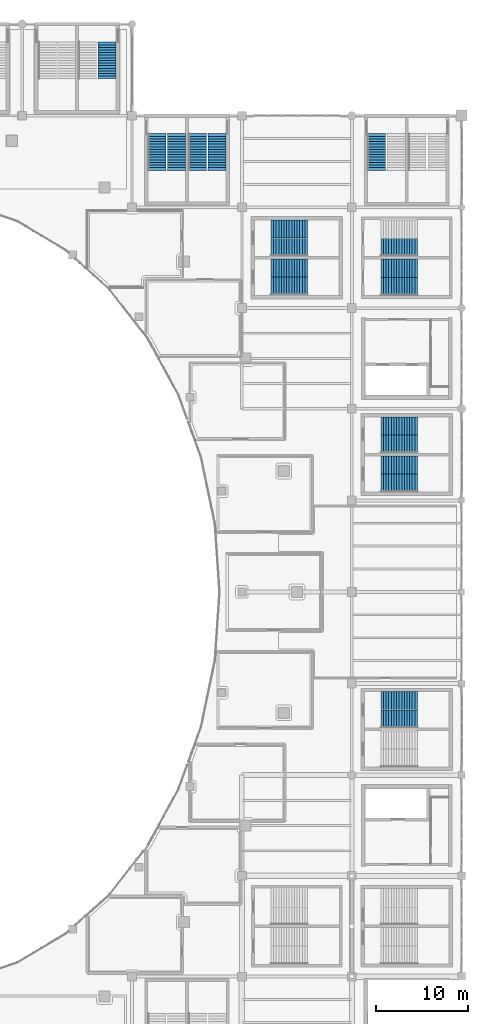
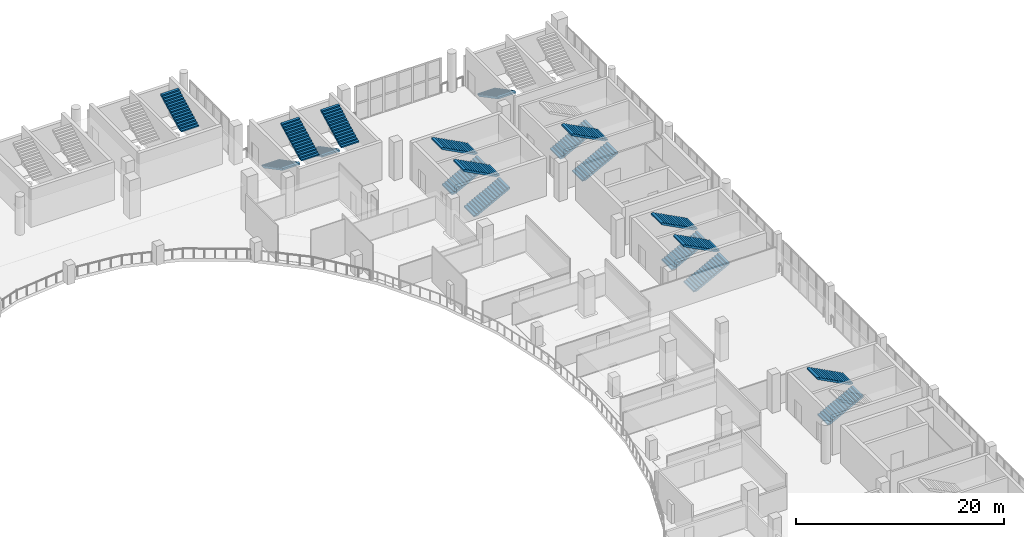
# One storey, part 72 of 90: 19 stair flights, 11 elements without a shape of their own.
"""IFC4 building model written with IfcOpenShell, lengths in metres."""

import ifcopenshell
import ifcopenshell.guid

model = None  # the IFC model being written
_history = None  # IfcOwnerHistory: only IFC2X3 demands one
_inside = {}  # id of a spatial element -> (the spatial element, [elements in it])
_under = {}  # id of a project, library or spatial element -> (it, [spatial elements below it])
_declared = {}  # id of a project -> (the project, [libraries it declares])
_typed = {}  # id of a type object -> (the type object, [elements of that type])
_made_of = {}  # id of a material, layer set ... -> (it, [elements and type objects made of it])


def new_model(schema):
    """Start an empty IFC model of exactly this schema.

    Asked for "IFC4X3", IfcOpenShell would pick the latest addendum, in which some entities
    have other attributes; the version numbers below select the first issue.
    IFC2X3 requires an IfcOwnerHistory on every rooted entity: one is made here for all.
    """
    global model, _history
    if schema == "IFC4X3":
        model = ifcopenshell.file(schema_version=(4, 3, 0, 0))
    else:
        model = ifcopenshell.file(schema=schema)
    _inside.clear()
    _under.clear()
    _declared.clear()
    _typed.clear()
    _made_of.clear()
    _history = None
    if model.schema == "IFC2X3":
        org = make("IfcOrganization", Name="unknown")
        user = make(
            "IfcPersonAndOrganization",
            ThePerson=make("IfcPerson", FamilyName="unknown"),
            TheOrganization=org,
        )
        app = make(
            "IfcApplication",
            ApplicationDeveloper=org,
            Version="unknown",
            ApplicationFullName="unknown",
            ApplicationIdentifier="unknown",
        )
        _history = make(
            "IfcOwnerHistory",
            OwningUser=user,
            OwningApplication=app,
            ChangeAction="ADDED",
            CreationDate=0,
        )
    return model


def make(cls, **values):
    """One entity of the class cls with the attributes given. An attribute that is None is left unset."""
    return model.create_entity(
        cls, **{name: value for name, value in values.items() if value is not None}
    )


def rooted(cls, **values):
    """An entity with a GlobalId (a new one), such as an element, a storey or a relation."""
    return make(cls, GlobalId=ifcopenshell.guid.new(), OwnerHistory=_history, **values)


def si_unit(unit_type, name, prefix=None):
    """IfcSIUnit, for example si_unit("LENGTHUNIT", "METRE", prefix="MILLI")."""
    return make("IfcSIUnit", UnitType=unit_type, Prefix=prefix, Name=name)


def assignment(units):
    """IfcUnitAssignment: the units of a project."""
    return None if units is None else make("IfcUnitAssignment", Units=units)


def point(xyz):
    """IfcCartesianPoint."""
    return None if xyz is None else make("IfcCartesianPoint", Coordinates=xyz)


def direction(xyz):
    """IfcDirection."""
    return None if xyz is None else make("IfcDirection", DirectionRatios=xyz)


def frame(location, z_axis=None, x_axis=None):
    """IfcAxis2Placement3D, a coordinate frame: its origin and axes. An axis left out is left unset."""
    return make(
        "IfcAxis2Placement3D",
        Location=point(location),
        Axis=direction(z_axis),
        RefDirection=direction(x_axis),
    )


def origin():
    """The frame at (0, 0, 0) with its axes left unset."""
    return frame((0.0, 0.0, 0.0))


def place(relative_to, where):
    """IfcLocalPlacement: puts the frame where relative to a parent placement (None: the world)."""
    return make(
        "IfcLocalPlacement", PlacementRelTo=relative_to, RelativePlacement=where
    )


def context(
    kind, dimensions, precision=None, world=None, true_north=None, identifier=None
):
    """IfcGeometricRepresentationContext, for example the 3D "Model" context."""
    return make(
        "IfcGeometricRepresentationContext",
        ContextIdentifier=identifier,
        ContextType=kind,
        CoordinateSpaceDimension=dimensions,
        Precision=precision,
        WorldCoordinateSystem=world,
        TrueNorth=true_north,
    )


def subcontext(parent, identifier, kind, view, scale=None):
    """IfcGeometricRepresentationSubContext, for example "Body" below "Model"."""
    return make(
        "IfcGeometricRepresentationSubContext",
        ContextIdentifier=identifier,
        ContextType=kind,
        ParentContext=parent,
        TargetScale=scale,
        TargetView=view,
    )


def project(units=None, contexts=None):
    """IfcProject with its units and contexts."""
    return rooted(
        "IfcProject",
        Name="project",
        RepresentationContexts=contexts,
        UnitsInContext=assignment(units),
    )


def spatial(cls, under=None, at=None, **own):
    """A site, building, storey or space (cls), placed at a placement, below another one or the project."""
    s = rooted(cls, ObjectPlacement=at, **own)
    if under is not None:
        _under.setdefault(under.id(), (under, []))[1].append(s)
    return s


def polyline(points):
    """IfcPolyline through the points."""
    return make("IfcPolyline", Points=[point(p) for p in points])


def outline(outer, holes=None, kind="AREA"):
    """IfcArbitraryClosedProfileDef: a profile drawn as a closed curve; with holes, ...WithVoids."""
    if holes is None:
        return make("IfcArbitraryClosedProfileDef", ProfileType=kind, OuterCurve=outer)
    return make(
        "IfcArbitraryProfileDefWithVoids",
        ProfileType=kind,
        OuterCurve=outer,
        InnerCurves=holes,
    )


def extrude(swept, where, along, depth):
    """IfcExtrudedAreaSolid: the profile swept, set in the frame where, extruded along a direction by depth."""
    return make(
        "IfcExtrudedAreaSolid",
        SweptArea=swept,
        Position=where,
        ExtrudedDirection=direction(along),
        Depth=depth,
    )


def shape(context_of_items, identifier, shape_type, items):
    """IfcShapeRepresentation: the items that make up one representation, for example the "Body"."""
    return make(
        "IfcShapeRepresentation",
        ContextOfItems=context_of_items,
        RepresentationIdentifier=identifier,
        RepresentationType=shape_type,
        Items=items,
    )


def material(Name=None, Category=None):
    """IfcMaterial."""
    return make("IfcMaterial", Name=Name, Category=Category)


def layer(
    of_material, thickness, ventilated=None, Name=None, Category=None, Priority=None
):
    """IfcMaterialLayer: one layer of a wall or slab, of a material (None: an air gap)."""
    return make(
        "IfcMaterialLayer",
        Material=of_material,
        LayerThickness=thickness,
        IsVentilated=ventilated,
        Name=Name,
        Category=Category,
        Priority=Priority,
    )


def layer_set(layers, Name=None):
    """IfcMaterialLayerSet."""
    return make("IfcMaterialLayerSet", MaterialLayers=layers, LayerSetName=Name)


def made_of(thing, what):
    """Note that an element or type object is made of a material, layer set ...; save() writes the relation."""
    if what is not None:
        _made_of.setdefault(what.id(), (what, []))[1].append(thing)
    return thing


def type_object(cls, material=None, **own):
    """A type object (cls), such as IfcWallType, which elements share."""
    return made_of(rooted(cls, **own), material)


def element(
    cls,
    number,
    at=None,
    inside=None,
    cuts=None,
    type_object=None,
    material=None,
    context=None,
    identifier="Body",
    shape_type=None,
    held_by="IfcProductDefinitionShape",
    body=None,
    shapes=None,
    **own,
):
    """One element of the class cls, such as IfcWall. Its Tag is "e" and its number.

    at: its placement. inside: the storey or other place that contains it. cuts: it is an
    opening in that element (IfcRelVoidsElement). A single representation is given by context,
    identifier, shape_type and body (its items); several are given by shapes. held_by: the class
    of the entity that holds the representations. save() writes the other relations.
    """
    e = rooted(cls, Tag="e%d" % number, ObjectPlacement=at, **own)
    if body is not None:
        shapes = [shape(context, identifier, shape_type, body)]
    if shapes is not None:
        e.Representation = make(held_by, Representations=shapes)
    if inside is not None:
        _inside.setdefault(inside.id(), (inside, []))[1].append(e)
    if cuts is not None:
        rooted(
            "IfcRelVoidsElement", RelatingBuildingElement=cuts, RelatedOpeningElement=e
        )
    if type_object is not None:
        _typed.setdefault(type_object.id(), (type_object, []))[1].append(e)
    return made_of(e, material)


def aggregate(whole, parts):
    """IfcRelAggregates: a whole, such as a stair, and the parts it consists of."""
    return rooted("IfcRelAggregates", RelatingObject=whole, RelatedObjects=parts)


def save(model, path):
    """Write the relations noted so far, then the file.

    IfcRelAggregates (storeys below a building ...), IfcRelContainedInSpatialStructure (elements
    in a storey), IfcRelDefinesByType, IfcRelAssociatesMaterial and IfcRelDeclares: one each for
    every whole, place, type object, material and project.
    """
    for whole, parts in _under.values():
        aggregate(whole, parts)
    for where, things in _inside.values():
        rooted(
            "IfcRelContainedInSpatialStructure",
            RelatedElements=things,
            RelatingStructure=where,
        )
    for kind, things in _typed.values():
        rooted("IfcRelDefinesByType", RelatedObjects=things, RelatingType=kind)
    for what, things in _made_of.values():
        rooted("IfcRelAssociatesMaterial", RelatedObjects=things, RelatingMaterial=what)
    for by, libraries in _declared.values():
        rooted("IfcRelDeclares", RelatingContext=by, RelatedDefinitions=libraries)
    model.write(path)


model = new_model("IFC4")

# Units and contexts
model_context = context("Model", 3, precision=1e-05, world=origin(), true_north=direction((0.0, 1.0)))
body_context = subcontext(model_context, "Body", "Model", "MODEL_VIEW")
ifc_project = project(units=[si_unit("LENGTHUNIT", "METRE"), si_unit("AREAUNIT", "SQUARE_METRE"), si_unit("VOLUMEUNIT", "CUBIC_METRE"), si_unit("PLANEANGLEUNIT", "RADIAN"), si_unit("MASSUNIT", "GRAM", prefix="KILO")], contexts=[model_context])

# Site, building, storey
site_placement = place(None, origin())
site = spatial("IfcSite", under=ifc_project, at=site_placement, CompositionType="ELEMENT")
building_placement = place(site_placement, origin())
building = spatial("IfcBuilding", under=site, at=building_placement, Name="Brinegate Civic Arena", CompositionType="ELEMENT")
storey_placement = place(building_placement, frame((0.0, 0.0, 14.699951171875)))
storey = spatial("IfcBuildingStorey", under=building, at=storey_placement, Name="L03", CompositionType="ELEMENT", Elevation=14.699951171875)

# Stair, stair flight
ifc_material = material(Name="Concrete C40/50", Category="concrete")
stair_type_1 = type_object("IfcStairType", Name="STAIR-EXIT-3700", PredefinedType="HALF_TURN_STAIR", material=ifc_material)
stair_1_placement = place(storey_placement, origin())
stair_1 = element("IfcStair", 1, at=stair_1_placement, inside=storey, type_object=stair_type_1, Name="Protected Exit Stair ST-03B (L03)", PredefinedType="HALF_TURN_STAIR")
ifc_layer_1 = layer(ifc_material, 0.179931640625, Name="Concrete C40/50")
ifc_layer_set_1 = layer_set([ifc_layer_1], Name="Concrete C40/50")
stair_flight_type_1 = type_object("IfcStairFlightType", Name="FLIGHT-EXIT-3700", PredefinedType="STRAIGHT", material=ifc_layer_set_1)
stair_flight_1_placement = place(storey_placement, frame((129.260009765625, 118.0400390625, 2.25), z_axis=(0.0, 0.0, 1.0), x_axis=(0.0, 1.0, 0.0)))
stair_flight_1 = element("IfcStairFlight", 2, at=stair_flight_1_placement, type_object=stair_flight_type_1, Name="ST-03B flight 2", NumberOfRisers=15, NumberOfTreads=14, PredefinedType="STRAIGHT", RiserHeight=0.15, TreadLength=0.285, context=body_context, shape_type="SweptSolid", body=[
    extrude(outline(polyline([(0.0, 0.0), (0.0, 0.14990234375), (0.284912109375, 0.14990234375), (0.284912109375, 0.300048828125), (0.570068359375, 0.300048828125), (0.570068359375, 0.449951171875), (0.85498046875, 0.449951171875), (0.85498046875, 0.60009765625), (1.139892578125, 0.60009765625), (1.139892578125, 0.75), (1.425048828125, 0.75), (1.425048828125, 0.89990234375), (1.7099609375, 0.89990234375), (1.7099609375, 1.050048828125), (1.9951171875, 1.050048828125), (1.9951171875, 1.199951171875), (2.280029296875, 1.199951171875), (2.280029296875, 1.35009765625), (2.56494140625, 1.35009765625), (2.56494140625, 1.5), (2.85009765625, 1.5), (2.85009765625, 1.64990234375), (3.135009765625, 1.64990234375), (3.135009765625, 1.800048828125), (3.419921875, 1.800048828125), (3.419921875, 1.949951171875), (3.705078125, 1.949951171875), (3.705078125, 2.10009765625), (3.989990234375, 2.10009765625), (3.989990234375, 2.25), (3.989990234375, 1.896728515625), (0.38623046875, 0.0), (0.0, 0.0)])), frame((0.0, 0.97998046875, 0.0), z_axis=(0.0, -1.0, 0.0), x_axis=(1.0, 0.0, 0.0)), (0.0, 0.0, 1.0), 1.9599609375),
])
aggregate(stair_1, [stair_flight_1])

# Stair, stair flights
stair_2_placement = place(storey_placement, origin())
stair_2 = element("IfcStair", 3, at=stair_2_placement, inside=storey, type_object=stair_type_1, Name="Protected Exit Stair ST-09B (L03)", PredefinedType="HALF_TURN_STAIR")
stair_flight_2_placement = place(storey_placement, frame((159.169921875, 78.139892578125, 0.0), z_axis=(0.0, 0.0, 1.0), x_axis=(1.0, 0.0, 0.0)))
stair_flight_2 = element("IfcStairFlight", 4, at=stair_flight_2_placement, type_object=stair_flight_type_1, Name="ST-09B flight 1", NumberOfRisers=15, NumberOfTreads=14, PredefinedType="STRAIGHT", RiserHeight=0.15, TreadLength=0.285, context=body_context, shape_type="SweptSolid", body=[
    extrude(outline(polyline([(0.0, 0.0), (0.0, 0.14990234375), (0.284912109375, 0.14990234375), (0.284912109375, 0.300048828125), (0.570068359375, 0.300048828125), (0.570068359375, 0.449951171875), (0.85498046875, 0.449951171875), (0.85498046875, 0.60009765625), (1.139892578125, 0.60009765625), (1.139892578125, 0.75), (1.425048828125, 0.75), (1.425048828125, 0.89990234375), (1.7099609375, 0.89990234375), (1.7099609375, 1.050048828125), (1.9951171875, 1.050048828125), (1.9951171875, 1.199951171875), (2.280029296875, 1.199951171875), (2.280029296875, 1.35009765625), (2.56494140625, 1.35009765625), (2.56494140625, 1.5), (2.85009765625, 1.5), (2.85009765625, 1.64990234375), (3.135009765625, 1.64990234375), (3.135009765625, 1.800048828125), (3.419921875, 1.800048828125), (3.419921875, 1.949951171875), (3.705078125, 1.949951171875), (3.705078125, 2.10009765625), (3.989990234375, 2.10009765625), (3.989990234375, 2.25), (3.989990234375, 1.896728515625), (0.38623046875, 0.0), (0.0, 0.0)])), frame((0.0, 0.97998046875, 0.0), z_axis=(0.0, -1.0, 0.0), x_axis=(1.0, 0.0, 0.0)), (0.0, 0.0, 1.0), 1.9599609375),
])
stair_flight_3_placement = place(storey_placement, frame((163.159912109375, 80.110107421875, 2.25), z_axis=(0.0, 0.0, 1.0), x_axis=(-1.0, 0.0, 0.0)))
stair_flight_3 = element("IfcStairFlight", 5, at=stair_flight_3_placement, type_object=stair_flight_type_1, Name="ST-09B flight 2", NumberOfRisers=15, NumberOfTreads=14, PredefinedType="STRAIGHT", RiserHeight=0.15, TreadLength=0.285, context=body_context, shape_type="SweptSolid", body=[
    extrude(outline(polyline([(0.0, 0.0), (0.0, 0.14990234375), (0.284912109375, 0.14990234375), (0.284912109375, 0.300048828125), (0.570068359375, 0.300048828125), (0.570068359375, 0.449951171875), (0.85498046875, 0.449951171875), (0.85498046875, 0.60009765625), (1.139892578125, 0.60009765625), (1.139892578125, 0.75), (1.425048828125, 0.75), (1.425048828125, 0.89990234375), (1.7099609375, 0.89990234375), (1.7099609375, 1.050048828125), (1.9951171875, 1.050048828125), (1.9951171875, 1.199951171875), (2.280029296875, 1.199951171875), (2.280029296875, 1.35009765625), (2.56494140625, 1.35009765625), (2.56494140625, 1.5), (2.85009765625, 1.5), (2.85009765625, 1.64990234375), (3.135009765625, 1.64990234375), (3.135009765625, 1.800048828125), (3.419921875, 1.800048828125), (3.419921875, 1.949951171875), (3.705078125, 1.949951171875), (3.705078125, 2.10009765625), (3.989990234375, 2.10009765625), (3.989990234375, 2.25), (3.989990234375, 1.896728515625), (0.38623046875, 0.0), (0.0, 0.0)])), frame((0.0, 0.97998046875, 0.0), z_axis=(0.0, -1.0, 0.0), x_axis=(1.0, 0.0, 0.0)), (0.0, 0.0, 1.0), 1.9599609375),
])
aggregate(stair_2, [stair_flight_2, stair_flight_3])

stair_3_placement = place(storey_placement, origin())
stair_3 = element("IfcStair", 6, at=stair_3_placement, inside=storey, type_object=stair_type_1, Name="Protected Exit Stair ST-10B (L03)", PredefinedType="HALF_TURN_STAIR")
stair_flight_4_placement = place(storey_placement, frame((159.169921875, 48.139892578125, 0.0), z_axis=(0.0, 0.0, 1.0), x_axis=(1.0, 0.0, 0.0)))
stair_flight_4 = element("IfcStairFlight", 7, at=stair_flight_4_placement, type_object=stair_flight_type_1, Name="ST-10B flight 1", NumberOfRisers=15, NumberOfTreads=14, PredefinedType="STRAIGHT", RiserHeight=0.15, TreadLength=0.285, context=body_context, shape_type="SweptSolid", body=[
    extrude(outline(polyline([(0.0, 0.0), (0.0, 0.14990234375), (0.284912109375, 0.14990234375), (0.284912109375, 0.300048828125), (0.570068359375, 0.300048828125), (0.570068359375, 0.449951171875), (0.85498046875, 0.449951171875), (0.85498046875, 0.60009765625), (1.139892578125, 0.60009765625), (1.139892578125, 0.75), (1.425048828125, 0.75), (1.425048828125, 0.89990234375), (1.7099609375, 0.89990234375), (1.7099609375, 1.050048828125), (1.9951171875, 1.050048828125), (1.9951171875, 1.199951171875), (2.280029296875, 1.199951171875), (2.280029296875, 1.35009765625), (2.56494140625, 1.35009765625), (2.56494140625, 1.5), (2.85009765625, 1.5), (2.85009765625, 1.64990234375), (3.135009765625, 1.64990234375), (3.135009765625, 1.800048828125), (3.419921875, 1.800048828125), (3.419921875, 1.949951171875), (3.705078125, 1.949951171875), (3.705078125, 2.10009765625), (3.989990234375, 2.10009765625), (3.989990234375, 2.25), (3.989990234375, 1.896728515625), (0.38623046875, 0.0), (0.0, 0.0)])), frame((0.0, 0.97998046875, 0.0), z_axis=(0.0, -1.0, 0.0), x_axis=(1.0, 0.0, 0.0)), (0.0, 0.0, 1.0), 1.9599609375),
])
stair_flight_5_placement = place(storey_placement, frame((163.159912109375, 50.1298828125, 2.25), z_axis=(0.0, 0.0, 1.0), x_axis=(-1.0, 0.0, 0.0)))
stair_flight_5 = element("IfcStairFlight", 8, at=stair_flight_5_placement, type_object=stair_flight_type_1, Name="ST-10B flight 2", NumberOfRisers=15, NumberOfTreads=14, PredefinedType="STRAIGHT", RiserHeight=0.15, TreadLength=0.285, context=body_context, shape_type="SweptSolid", body=[
    extrude(outline(polyline([(0.0, 0.0), (0.0, 0.14990234375), (0.284912109375, 0.14990234375), (0.284912109375, 0.300048828125), (0.570068359375, 0.300048828125), (0.570068359375, 0.449951171875), (0.85498046875, 0.449951171875), (0.85498046875, 0.60009765625), (1.139892578125, 0.60009765625), (1.139892578125, 0.75), (1.425048828125, 0.75), (1.425048828125, 0.89990234375), (1.7099609375, 0.89990234375), (1.7099609375, 1.050048828125), (1.9951171875, 1.050048828125), (1.9951171875, 1.199951171875), (2.280029296875, 1.199951171875), (2.280029296875, 1.35009765625), (2.56494140625, 1.35009765625), (2.56494140625, 1.5), (2.85009765625, 1.5), (2.85009765625, 1.64990234375), (3.135009765625, 1.64990234375), (3.135009765625, 1.800048828125), (3.419921875, 1.800048828125), (3.419921875, 1.949951171875), (3.705078125, 1.949951171875), (3.705078125, 2.10009765625), (3.989990234375, 2.10009765625), (3.989990234375, 2.25), (3.989990234375, 1.896728515625), (0.38623046875, 0.0), (0.0, 0.0)])), frame((0.0, 0.97998046875, 0.0), z_axis=(0.0, -1.0, 0.0), x_axis=(1.0, 0.0, 0.0)), (0.0, 0.0, 1.0), 1.9599609375),
])
aggregate(stair_3, [stair_flight_4, stair_flight_5])

stair_4_placement = place(storey_placement, origin())
stair_4 = element("IfcStair", 9, at=stair_4_placement, inside=storey, type_object=stair_type_1, Name="Protected Exit Stair ST-13B (L03)", PredefinedType="HALF_TURN_STAIR")
stair_flight_6_placement = place(storey_placement, frame((139.139892578125, 112.030029296875, 0.0), z_axis=(0.0, 0.0, 1.0), x_axis=(0.0, -1.0, 0.0)))
stair_flight_6 = element("IfcStairFlight", 10, at=stair_flight_6_placement, type_object=stair_flight_type_1, Name="ST-13B flight 1", NumberOfRisers=15, NumberOfTreads=14, PredefinedType="STRAIGHT", RiserHeight=0.15, TreadLength=0.285, context=body_context, shape_type="SweptSolid", body=[
    extrude(outline(polyline([(0.0, 0.0), (0.0, 0.14990234375), (0.284912109375, 0.14990234375), (0.284912109375, 0.300048828125), (0.570068359375, 0.300048828125), (0.570068359375, 0.449951171875), (0.85498046875, 0.449951171875), (0.85498046875, 0.60009765625), (1.139892578125, 0.60009765625), (1.139892578125, 0.75), (1.425048828125, 0.75), (1.425048828125, 0.89990234375), (1.7099609375, 0.89990234375), (1.7099609375, 1.050048828125), (1.9951171875, 1.050048828125), (1.9951171875, 1.199951171875), (2.280029296875, 1.199951171875), (2.280029296875, 1.35009765625), (2.56494140625, 1.35009765625), (2.56494140625, 1.5), (2.85009765625, 1.5), (2.85009765625, 1.64990234375), (3.135009765625, 1.64990234375), (3.135009765625, 1.800048828125), (3.419921875, 1.800048828125), (3.419921875, 1.949951171875), (3.705078125, 1.949951171875), (3.705078125, 2.10009765625), (3.989990234375, 2.10009765625), (3.989990234375, 2.25), (3.989990234375, 1.896728515625), (0.38623046875, 0.0), (0.0, 0.0)])), frame((0.0, 0.97998046875, 0.0), z_axis=(0.0, -1.0, 0.0), x_axis=(1.0, 0.0, 0.0)), (0.0, 0.0, 1.0), 1.9599609375),
])
stair_flight_7_placement = place(storey_placement, frame((141.280029296875, 108.0400390625, 2.25), z_axis=(0.0, 0.0, 1.0), x_axis=(0.0, 1.0, 0.0)))
stair_flight_7 = element("IfcStairFlight", 11, at=stair_flight_7_placement, type_object=stair_flight_type_1, Name="ST-13B flight 2", NumberOfRisers=15, NumberOfTreads=14, PredefinedType="STRAIGHT", RiserHeight=0.15, TreadLength=0.285, context=body_context, shape_type="SweptSolid", body=[
    extrude(outline(polyline([(0.0, 0.0), (0.0, 0.14990234375), (0.284912109375, 0.14990234375), (0.284912109375, 0.300048828125), (0.570068359375, 0.300048828125), (0.570068359375, 0.449951171875), (0.85498046875, 0.449951171875), (0.85498046875, 0.60009765625), (1.139892578125, 0.60009765625), (1.139892578125, 0.75), (1.425048828125, 0.75), (1.425048828125, 0.89990234375), (1.7099609375, 0.89990234375), (1.7099609375, 1.050048828125), (1.9951171875, 1.050048828125), (1.9951171875, 1.199951171875), (2.280029296875, 1.199951171875), (2.280029296875, 1.35009765625), (2.56494140625, 1.35009765625), (2.56494140625, 1.5), (2.85009765625, 1.5), (2.85009765625, 1.64990234375), (3.135009765625, 1.64990234375), (3.135009765625, 1.800048828125), (3.419921875, 1.800048828125), (3.419921875, 1.949951171875), (3.705078125, 1.949951171875), (3.705078125, 2.10009765625), (3.989990234375, 2.10009765625), (3.989990234375, 2.25), (3.989990234375, 1.896728515625), (0.38623046875, 0.0), (0.0, 0.0)])), frame((0.0, 0.97998046875, 0.0), z_axis=(0.0, -1.0, 0.0), x_axis=(1.0, 0.0, 0.0)), (0.0, 0.0, 1.0), 1.9599609375),
])
aggregate(stair_4, [stair_flight_6, stair_flight_7])

stair_5_placement = place(storey_placement, origin())
stair_5 = element("IfcStair", 12, at=stair_5_placement, inside=storey, type_object=stair_type_1, Name="Protected Exit Stair ST-18B (L03)", PredefinedType="HALF_TURN_STAIR")
stair_flight_8_placement = place(storey_placement, frame((147.169921875, 99.639892578125, 0.0), z_axis=(0.0, 0.0, 1.0), x_axis=(1.0, 0.0, 0.0)))
stair_flight_8 = element("IfcStairFlight", 13, at=stair_flight_8_placement, type_object=stair_flight_type_1, Name="ST-18B flight 1", NumberOfRisers=15, NumberOfTreads=14, PredefinedType="STRAIGHT", RiserHeight=0.15, TreadLength=0.285, context=body_context, shape_type="SweptSolid", body=[
    extrude(outline(polyline([(0.0, 0.0), (0.0, 0.14990234375), (0.284912109375, 0.14990234375), (0.284912109375, 0.300048828125), (0.570068359375, 0.300048828125), (0.570068359375, 0.449951171875), (0.85498046875, 0.449951171875), (0.85498046875, 0.60009765625), (1.139892578125, 0.60009765625), (1.139892578125, 0.75), (1.425048828125, 0.75), (1.425048828125, 0.89990234375), (1.7099609375, 0.89990234375), (1.7099609375, 1.050048828125), (1.9951171875, 1.050048828125), (1.9951171875, 1.199951171875), (2.280029296875, 1.199951171875), (2.280029296875, 1.35009765625), (2.56494140625, 1.35009765625), (2.56494140625, 1.5), (2.85009765625, 1.5), (2.85009765625, 1.64990234375), (3.135009765625, 1.64990234375), (3.135009765625, 1.800048828125), (3.419921875, 1.800048828125), (3.419921875, 1.949951171875), (3.705078125, 1.949951171875), (3.705078125, 2.10009765625), (3.989990234375, 2.10009765625), (3.989990234375, 2.25), (3.989990234375, 1.896728515625), (0.38623046875, 0.0), (0.0, 0.0)])), frame((0.0, 0.97998046875, 0.0), z_axis=(0.0, -1.0, 0.0), x_axis=(1.0, 0.0, 0.0)), (0.0, 0.0, 1.0), 1.9599609375),
])
stair_flight_9_placement = place(storey_placement, frame((151.159912109375, 101.610107421875, 2.25), z_axis=(0.0, 0.0, 1.0), x_axis=(-1.0, 0.0, 0.0)))
stair_flight_9 = element("IfcStairFlight", 14, at=stair_flight_9_placement, type_object=stair_flight_type_1, Name="ST-18B flight 2", NumberOfRisers=15, NumberOfTreads=14, PredefinedType="STRAIGHT", RiserHeight=0.15, TreadLength=0.285, context=body_context, shape_type="SweptSolid", body=[
    extrude(outline(polyline([(0.0, 0.0), (0.0, 0.14990234375), (0.284912109375, 0.14990234375), (0.284912109375, 0.300048828125), (0.570068359375, 0.300048828125), (0.570068359375, 0.449951171875), (0.85498046875, 0.449951171875), (0.85498046875, 0.60009765625), (1.139892578125, 0.60009765625), (1.139892578125, 0.75), (1.425048828125, 0.75), (1.425048828125, 0.89990234375), (1.7099609375, 0.89990234375), (1.7099609375, 1.050048828125), (1.9951171875, 1.050048828125), (1.9951171875, 1.199951171875), (2.280029296875, 1.199951171875), (2.280029296875, 1.35009765625), (2.56494140625, 1.35009765625), (2.56494140625, 1.5), (2.85009765625, 1.5), (2.85009765625, 1.64990234375), (3.135009765625, 1.64990234375), (3.135009765625, 1.800048828125), (3.419921875, 1.800048828125), (3.419921875, 1.949951171875), (3.705078125, 1.949951171875), (3.705078125, 2.10009765625), (3.989990234375, 2.10009765625), (3.989990234375, 2.25), (3.989990234375, 1.896728515625), (0.38623046875, 0.0), (0.0, 0.0)])), frame((0.0, 0.97998046875, 0.0), z_axis=(0.0, -1.0, 0.0), x_axis=(1.0, 0.0, 0.0)), (0.0, 0.0, 1.0), 1.9599609375),
])
aggregate(stair_5, [stair_flight_8, stair_flight_9])

# Stair, stair flight
stair_6_placement = place(storey_placement, origin())
stair_6 = element("IfcStair", 15, at=stair_6_placement, inside=storey, type_object=stair_type_1, Name="Protected Exit Stair ST-20B (L03)", PredefinedType="HALF_TURN_STAIR")
stair_flight_10_placement = place(storey_placement, frame((159.169921875, 99.639892578125, 0.0), z_axis=(0.0, 0.0, 1.0), x_axis=(1.0, 0.0, 0.0)))
stair_flight_10 = element("IfcStairFlight", 16, at=stair_flight_10_placement, type_object=stair_flight_type_1, Name="ST-20B flight 1", NumberOfRisers=15, NumberOfTreads=14, PredefinedType="STRAIGHT", RiserHeight=0.15, TreadLength=0.285, context=body_context, shape_type="SweptSolid", body=[
    extrude(outline(polyline([(0.0, 0.0), (0.0, 0.14990234375), (0.284912109375, 0.14990234375), (0.284912109375, 0.300048828125), (0.570068359375, 0.300048828125), (0.570068359375, 0.449951171875), (0.85498046875, 0.449951171875), (0.85498046875, 0.60009765625), (1.139892578125, 0.60009765625), (1.139892578125, 0.75), (1.425048828125, 0.75), (1.425048828125, 0.89990234375), (1.7099609375, 0.89990234375), (1.7099609375, 1.050048828125), (1.9951171875, 1.050048828125), (1.9951171875, 1.199951171875), (2.280029296875, 1.199951171875), (2.280029296875, 1.35009765625), (2.56494140625, 1.35009765625), (2.56494140625, 1.5), (2.85009765625, 1.5), (2.85009765625, 1.64990234375), (3.135009765625, 1.64990234375), (3.135009765625, 1.800048828125), (3.419921875, 1.800048828125), (3.419921875, 1.949951171875), (3.705078125, 1.949951171875), (3.705078125, 2.10009765625), (3.989990234375, 2.10009765625), (3.989990234375, 2.25), (3.989990234375, 1.896728515625), (0.38623046875, 0.0), (0.0, 0.0)])), frame((0.0, 0.97998046875, 0.0), z_axis=(0.0, -1.0, 0.0), x_axis=(1.0, 0.0, 0.0)), (0.0, 0.0, 1.0), 1.9599609375),
])
aggregate(stair_6, [stair_flight_10])

stair_type_2 = type_object("IfcStairType", Name="STAIR-EXIT-3850", PredefinedType="HALF_TURN_STAIR", material=ifc_material)
stair_7_placement = place(storey_placement, origin())
stair_7 = element("IfcStair", 17, at=stair_7_placement, inside=storey, type_object=stair_type_2, Name="Protected Exit Stair ST-05A (L03)", PredefinedType="HALF_TURN_STAIR")
ifc_layer_2 = layer(ifc_material, 0.179931640625, Name="Concrete C40/50")
ifc_layer_set_2 = layer_set([ifc_layer_2], Name="Concrete C40/50")
stair_flight_type_2 = type_object("IfcStairFlightType", Name="FLIGHT-EXIT-3850", PredefinedType="STRAIGHT", material=ifc_layer_set_2)
stair_flight_11_placement = place(storey_placement, frame((158.699951171875, 112.030029296875, 0.0), z_axis=(0.0, 0.0, 1.0), x_axis=(0.0, -1.0, 0.0)))
stair_flight_11 = element("IfcStairFlight", 18, at=stair_flight_11_placement, type_object=stair_flight_type_2, Name="ST-05A flight 1", NumberOfRisers=15, NumberOfTreads=14, PredefinedType="STRAIGHT", RiserHeight=0.15, TreadLength=0.285, context=body_context, shape_type="SweptSolid", body=[
    extrude(outline(polyline([(0.0, 0.0), (0.0, 0.14990234375), (0.284912109375, 0.14990234375), (0.284912109375, 0.300048828125), (0.570068359375, 0.300048828125), (0.570068359375, 0.449951171875), (0.85498046875, 0.449951171875), (0.85498046875, 0.60009765625), (1.139892578125, 0.60009765625), (1.139892578125, 0.75), (1.425048828125, 0.75), (1.425048828125, 0.89990234375), (1.7099609375, 0.89990234375), (1.7099609375, 1.050048828125), (1.9951171875, 1.050048828125), (1.9951171875, 1.199951171875), (2.280029296875, 1.199951171875), (2.280029296875, 1.35009765625), (2.56494140625, 1.35009765625), (2.56494140625, 1.5), (2.85009765625, 1.5), (2.85009765625, 1.64990234375), (3.135009765625, 1.64990234375), (3.135009765625, 1.800048828125), (3.419921875, 1.800048828125), (3.419921875, 1.949951171875), (3.705078125, 1.949951171875), (3.705078125, 2.10009765625), (3.989990234375, 2.10009765625), (3.989990234375, 2.25), (3.989990234375, 1.896728515625), (0.38623046875, 0.0), (0.0, 0.0)])), frame((0.0, 0.989990234375, 0.0), z_axis=(0.0, -1.0, 0.0), x_axis=(1.0, 0.0, 0.0)), (0.0, 0.0, 1.0), 1.97998046875),
])
aggregate(stair_7, [stair_flight_11])

# Stair, stair flights
stair_8_placement = place(storey_placement, origin())
stair_8 = element("IfcStair", 19, at=stair_8_placement, inside=storey, type_object=stair_type_2, Name="Protected Exit Stair ST-09A (L03)", PredefinedType="HALF_TURN_STAIR")
stair_flight_12_placement = place(storey_placement, frame((159.169921875, 73.89306640625, 0.0), z_axis=(0.0, 0.0, 1.0), x_axis=(1.0, 0.0, 0.0)))
stair_flight_12 = element("IfcStairFlight", 20, at=stair_flight_12_placement, type_object=stair_flight_type_2, Name="ST-09A flight 1", NumberOfRisers=15, NumberOfTreads=14, PredefinedType="STRAIGHT", RiserHeight=0.15, TreadLength=0.285, context=body_context, shape_type="SweptSolid", body=[
    extrude(outline(polyline([(0.0, 0.0), (0.0, 0.14990234375), (0.284912109375, 0.14990234375), (0.284912109375, 0.300048828125), (0.570068359375, 0.300048828125), (0.570068359375, 0.449951171875), (0.85498046875, 0.449951171875), (0.85498046875, 0.60009765625), (1.139892578125, 0.60009765625), (1.139892578125, 0.75), (1.425048828125, 0.75), (1.425048828125, 0.89990234375), (1.7099609375, 0.89990234375), (1.7099609375, 1.050048828125), (1.9951171875, 1.050048828125), (1.9951171875, 1.199951171875), (2.280029296875, 1.199951171875), (2.280029296875, 1.35009765625), (2.56494140625, 1.35009765625), (2.56494140625, 1.5), (2.85009765625, 1.5), (2.85009765625, 1.64990234375), (3.135009765625, 1.64990234375), (3.135009765625, 1.800048828125), (3.419921875, 1.800048828125), (3.419921875, 1.949951171875), (3.705078125, 1.949951171875), (3.705078125, 2.10009765625), (3.989990234375, 2.10009765625), (3.989990234375, 2.25), (3.989990234375, 1.896728515625), (0.38623046875, 0.0), (0.0, 0.0)])), frame((0.0, 0.982421875, 0.0), z_axis=(0.0, -1.0, 0.0), x_axis=(1.0, 0.0, 0.0)), (0.0, 0.0, 1.0), 1.965087890625),
])
stair_flight_13_placement = place(storey_placement, frame((163.159912109375, 75.85791015625, 2.25), z_axis=(0.0, 0.0, 1.0), x_axis=(-1.0, 0.0, 0.0)))
stair_flight_13 = element("IfcStairFlight", 21, at=stair_flight_13_placement, type_object=stair_flight_type_2, Name="ST-09A flight 2", NumberOfRisers=15, NumberOfTreads=14, PredefinedType="STRAIGHT", RiserHeight=0.15, TreadLength=0.285, context=body_context, shape_type="SweptSolid", body=[
    extrude(outline(polyline([(0.0, 0.0), (0.0, 0.14990234375), (0.284912109375, 0.14990234375), (0.284912109375, 0.300048828125), (0.570068359375, 0.300048828125), (0.570068359375, 0.449951171875), (0.85498046875, 0.449951171875), (0.85498046875, 0.60009765625), (1.139892578125, 0.60009765625), (1.139892578125, 0.75), (1.425048828125, 0.75), (1.425048828125, 0.89990234375), (1.7099609375, 0.89990234375), (1.7099609375, 1.050048828125), (1.9951171875, 1.050048828125), (1.9951171875, 1.199951171875), (2.280029296875, 1.199951171875), (2.280029296875, 1.35009765625), (2.56494140625, 1.35009765625), (2.56494140625, 1.5), (2.85009765625, 1.5), (2.85009765625, 1.64990234375), (3.135009765625, 1.64990234375), (3.135009765625, 1.800048828125), (3.419921875, 1.800048828125), (3.419921875, 1.949951171875), (3.705078125, 1.949951171875), (3.705078125, 2.10009765625), (3.989990234375, 2.10009765625), (3.989990234375, 2.25), (3.989990234375, 1.896728515625), (0.38623046875, 0.0), (0.0, 0.0)])), frame((0.0, 0.982421875, 0.0), z_axis=(0.0, -1.0, 0.0), x_axis=(1.0, 0.0, 0.0)), (0.0, 0.0, 1.0), 1.965087890625),
])
aggregate(stair_8, [stair_flight_12, stair_flight_13])

stair_9_placement = place(storey_placement, origin())
stair_9 = element("IfcStair", 22, at=stair_9_placement, inside=storey, type_object=stair_type_2, Name="Protected Exit Stair ST-13A (L03)", PredefinedType="HALF_TURN_STAIR")
stair_flight_14_placement = place(storey_placement, frame((134.72998046875, 112.030029296875, 0.0), z_axis=(0.0, 0.0, 1.0), x_axis=(0.0, -1.0, 0.0)))
stair_flight_14 = element("IfcStairFlight", 23, at=stair_flight_14_placement, type_object=stair_flight_type_2, Name="ST-13A flight 1", NumberOfRisers=15, NumberOfTreads=14, PredefinedType="STRAIGHT", RiserHeight=0.15, TreadLength=0.285, context=body_context, shape_type="SweptSolid", body=[
    extrude(outline(polyline([(0.0, 0.0), (0.0, 0.14990234375), (0.284912109375, 0.14990234375), (0.284912109375, 0.300048828125), (0.570068359375, 0.300048828125), (0.570068359375, 0.449951171875), (0.85498046875, 0.449951171875), (0.85498046875, 0.60009765625), (1.139892578125, 0.60009765625), (1.139892578125, 0.75), (1.425048828125, 0.75), (1.425048828125, 0.89990234375), (1.7099609375, 0.89990234375), (1.7099609375, 1.050048828125), (1.9951171875, 1.050048828125), (1.9951171875, 1.199951171875), (2.280029296875, 1.199951171875), (2.280029296875, 1.35009765625), (2.56494140625, 1.35009765625), (2.56494140625, 1.5), (2.85009765625, 1.5), (2.85009765625, 1.64990234375), (3.135009765625, 1.64990234375), (3.135009765625, 1.800048828125), (3.419921875, 1.800048828125), (3.419921875, 1.949951171875), (3.705078125, 1.949951171875), (3.705078125, 2.10009765625), (3.989990234375, 2.10009765625), (3.989990234375, 2.25), (3.989990234375, 1.896728515625), (0.38623046875, 0.0), (0.0, 0.0)])), frame((0.0, 0.989990234375, 0.0), z_axis=(0.0, -1.0, 0.0), x_axis=(1.0, 0.0, 0.0)), (0.0, 0.0, 1.0), 1.97998046875),
])
stair_flight_15_placement = place(storey_placement, frame((136.85009765625, 108.0400390625, 2.25), z_axis=(0.0, 0.0, 1.0), x_axis=(0.0, 1.0, 0.0)))
stair_flight_15 = element("IfcStairFlight", 24, at=stair_flight_15_placement, type_object=stair_flight_type_2, Name="ST-13A flight 2", NumberOfRisers=15, NumberOfTreads=14, PredefinedType="STRAIGHT", RiserHeight=0.15, TreadLength=0.285, context=body_context, shape_type="SweptSolid", body=[
    extrude(outline(polyline([(0.0, 0.0), (0.0, 0.14990234375), (0.284912109375, 0.14990234375), (0.284912109375, 0.300048828125), (0.570068359375, 0.300048828125), (0.570068359375, 0.449951171875), (0.85498046875, 0.449951171875), (0.85498046875, 0.60009765625), (1.139892578125, 0.60009765625), (1.139892578125, 0.75), (1.425048828125, 0.75), (1.425048828125, 0.89990234375), (1.7099609375, 0.89990234375), (1.7099609375, 1.050048828125), (1.9951171875, 1.050048828125), (1.9951171875, 1.199951171875), (2.280029296875, 1.199951171875), (2.280029296875, 1.35009765625), (2.56494140625, 1.35009765625), (2.56494140625, 1.5), (2.85009765625, 1.5), (2.85009765625, 1.64990234375), (3.135009765625, 1.64990234375), (3.135009765625, 1.800048828125), (3.419921875, 1.800048828125), (3.419921875, 1.949951171875), (3.705078125, 1.949951171875), (3.705078125, 2.10009765625), (3.989990234375, 2.10009765625), (3.989990234375, 2.25), (3.989990234375, 1.896728515625), (0.38623046875, 0.0), (0.0, 0.0)])), frame((0.0, 0.989990234375, 0.0), z_axis=(0.0, -1.0, 0.0), x_axis=(1.0, 0.0, 0.0)), (0.0, 0.0, 1.0), 1.97998046875),
])
aggregate(stair_9, [stair_flight_14, stair_flight_15])

stair_10_placement = place(storey_placement, origin())
stair_10 = element("IfcStair", 25, at=stair_10_placement, inside=storey, type_object=stair_type_2, Name="Protected Exit Stair ST-18A (L03)", PredefinedType="HALF_TURN_STAIR")
stair_flight_16_placement = place(storey_placement, frame((147.169921875, 95.39306640625, 0.0), z_axis=(0.0, 0.0, 1.0), x_axis=(1.0, 0.0, 0.0)))
stair_flight_16 = element("IfcStairFlight", 26, at=stair_flight_16_placement, type_object=stair_flight_type_2, Name="ST-18A flight 1", NumberOfRisers=15, NumberOfTreads=14, PredefinedType="STRAIGHT", RiserHeight=0.15, TreadLength=0.285, context=body_context, shape_type="SweptSolid", body=[
    extrude(outline(polyline([(0.0, 0.0), (0.0, 0.14990234375), (0.284912109375, 0.14990234375), (0.284912109375, 0.300048828125), (0.570068359375, 0.300048828125), (0.570068359375, 0.449951171875), (0.85498046875, 0.449951171875), (0.85498046875, 0.60009765625), (1.139892578125, 0.60009765625), (1.139892578125, 0.75), (1.425048828125, 0.75), (1.425048828125, 0.89990234375), (1.7099609375, 0.89990234375), (1.7099609375, 1.050048828125), (1.9951171875, 1.050048828125), (1.9951171875, 1.199951171875), (2.280029296875, 1.199951171875), (2.280029296875, 1.35009765625), (2.56494140625, 1.35009765625), (2.56494140625, 1.5), (2.85009765625, 1.5), (2.85009765625, 1.64990234375), (3.135009765625, 1.64990234375), (3.135009765625, 1.800048828125), (3.419921875, 1.800048828125), (3.419921875, 1.949951171875), (3.705078125, 1.949951171875), (3.705078125, 2.10009765625), (3.989990234375, 2.10009765625), (3.989990234375, 2.25), (3.989990234375, 1.896728515625), (0.38623046875, 0.0), (0.0, 0.0)])), frame((0.0, 0.982421875, 0.0), z_axis=(0.0, -1.0, 0.0), x_axis=(1.0, 0.0, 0.0)), (0.0, 0.0, 1.0), 1.965087890625),
])
stair_flight_17_placement = place(storey_placement, frame((151.159912109375, 97.35791015625, 2.25), z_axis=(0.0, 0.0, 1.0), x_axis=(-1.0, 0.0, 0.0)))
stair_flight_17 = element("IfcStairFlight", 27, at=stair_flight_17_placement, type_object=stair_flight_type_2, Name="ST-18A flight 2", NumberOfRisers=15, NumberOfTreads=14, PredefinedType="STRAIGHT", RiserHeight=0.15, TreadLength=0.285, context=body_context, shape_type="SweptSolid", body=[
    extrude(outline(polyline([(0.0, 0.0), (0.0, 0.14990234375), (0.284912109375, 0.14990234375), (0.284912109375, 0.300048828125), (0.570068359375, 0.300048828125), (0.570068359375, 0.449951171875), (0.85498046875, 0.449951171875), (0.85498046875, 0.60009765625), (1.139892578125, 0.60009765625), (1.139892578125, 0.75), (1.425048828125, 0.75), (1.425048828125, 0.89990234375), (1.7099609375, 0.89990234375), (1.7099609375, 1.050048828125), (1.9951171875, 1.050048828125), (1.9951171875, 1.199951171875), (2.280029296875, 1.199951171875), (2.280029296875, 1.35009765625), (2.56494140625, 1.35009765625), (2.56494140625, 1.5), (2.85009765625, 1.5), (2.85009765625, 1.64990234375), (3.135009765625, 1.64990234375), (3.135009765625, 1.800048828125), (3.419921875, 1.800048828125), (3.419921875, 1.949951171875), (3.705078125, 1.949951171875), (3.705078125, 2.10009765625), (3.989990234375, 2.10009765625), (3.989990234375, 2.25), (3.989990234375, 1.896728515625), (0.38623046875, 0.0), (0.0, 0.0)])), frame((0.0, 0.982421875, 0.0), z_axis=(0.0, -1.0, 0.0), x_axis=(1.0, 0.0, 0.0)), (0.0, 0.0, 1.0), 1.965087890625),
])
aggregate(stair_10, [stair_flight_16, stair_flight_17])

stair_11_placement = place(storey_placement, origin())
stair_11 = element("IfcStair", 28, at=stair_11_placement, inside=storey, type_object=stair_type_2, Name="Protected Exit Stair ST-20A (L03)", PredefinedType="HALF_TURN_STAIR")
stair_flight_18_placement = place(storey_placement, frame((159.169921875, 95.35009765625, 0.0), z_axis=(0.0, 0.0, 1.0), x_axis=(1.0, 0.0, 0.0)))
stair_flight_18 = element("IfcStairFlight", 29, at=stair_flight_18_placement, type_object=stair_flight_type_2, Name="ST-20A flight 1", NumberOfRisers=15, NumberOfTreads=14, PredefinedType="STRAIGHT", RiserHeight=0.15, TreadLength=0.285, context=body_context, shape_type="SweptSolid", body=[
    extrude(outline(polyline([(0.0, 0.0), (0.0, 0.14990234375), (0.284912109375, 0.14990234375), (0.284912109375, 0.300048828125), (0.570068359375, 0.300048828125), (0.570068359375, 0.449951171875), (0.85498046875, 0.449951171875), (0.85498046875, 0.60009765625), (1.139892578125, 0.60009765625), (1.139892578125, 0.75), (1.425048828125, 0.75), (1.425048828125, 0.89990234375), (1.7099609375, 0.89990234375), (1.7099609375, 1.050048828125), (1.9951171875, 1.050048828125), (1.9951171875, 1.199951171875), (2.280029296875, 1.199951171875), (2.280029296875, 1.35009765625), (2.56494140625, 1.35009765625), (2.56494140625, 1.5), (2.85009765625, 1.5), (2.85009765625, 1.64990234375), (3.135009765625, 1.64990234375), (3.135009765625, 1.800048828125), (3.419921875, 1.800048828125), (3.419921875, 1.949951171875), (3.705078125, 1.949951171875), (3.705078125, 2.10009765625), (3.989990234375, 2.10009765625), (3.989990234375, 2.25), (3.989990234375, 1.896728515625), (0.38623046875, 0.0), (0.0, 0.0)])), frame((0.0, 0.989990234375, 0.0), z_axis=(0.0, -1.0, 0.0), x_axis=(1.0, 0.0, 0.0)), (0.0, 0.0, 1.0), 1.97998046875),
])
stair_flight_19_placement = place(storey_placement, frame((163.159912109375, 97.35009765625, 2.25), z_axis=(0.0, 0.0, 1.0), x_axis=(-1.0, 0.0, 0.0)))
stair_flight_19 = element("IfcStairFlight", 30, at=stair_flight_19_placement, type_object=stair_flight_type_2, Name="ST-20A flight 2", NumberOfRisers=15, NumberOfTreads=14, PredefinedType="STRAIGHT", RiserHeight=0.15, TreadLength=0.285, context=body_context, shape_type="SweptSolid", body=[
    extrude(outline(polyline([(0.0, 0.0), (0.0, 0.14990234375), (0.284912109375, 0.14990234375), (0.284912109375, 0.300048828125), (0.570068359375, 0.300048828125), (0.570068359375, 0.449951171875), (0.85498046875, 0.449951171875), (0.85498046875, 0.60009765625), (1.139892578125, 0.60009765625), (1.139892578125, 0.75), (1.425048828125, 0.75), (1.425048828125, 0.89990234375), (1.7099609375, 0.89990234375), (1.7099609375, 1.050048828125), (1.9951171875, 1.050048828125), (1.9951171875, 1.199951171875), (2.280029296875, 1.199951171875), (2.280029296875, 1.35009765625), (2.56494140625, 1.35009765625), (2.56494140625, 1.5), (2.85009765625, 1.5), (2.85009765625, 1.64990234375), (3.135009765625, 1.64990234375), (3.135009765625, 1.800048828125), (3.419921875, 1.800048828125), (3.419921875, 1.949951171875), (3.705078125, 1.949951171875), (3.705078125, 2.10009765625), (3.989990234375, 2.10009765625), (3.989990234375, 2.25), (3.989990234375, 1.896728515625), (0.38623046875, 0.0), (0.0, 0.0)])), frame((0.0, 0.989990234375, 0.0), z_axis=(0.0, -1.0, 0.0), x_axis=(1.0, 0.0, 0.0)), (0.0, 0.0, 1.0), 1.97998046875),
])
aggregate(stair_11, [stair_flight_18, stair_flight_19])

save(model, "model.ifc")
